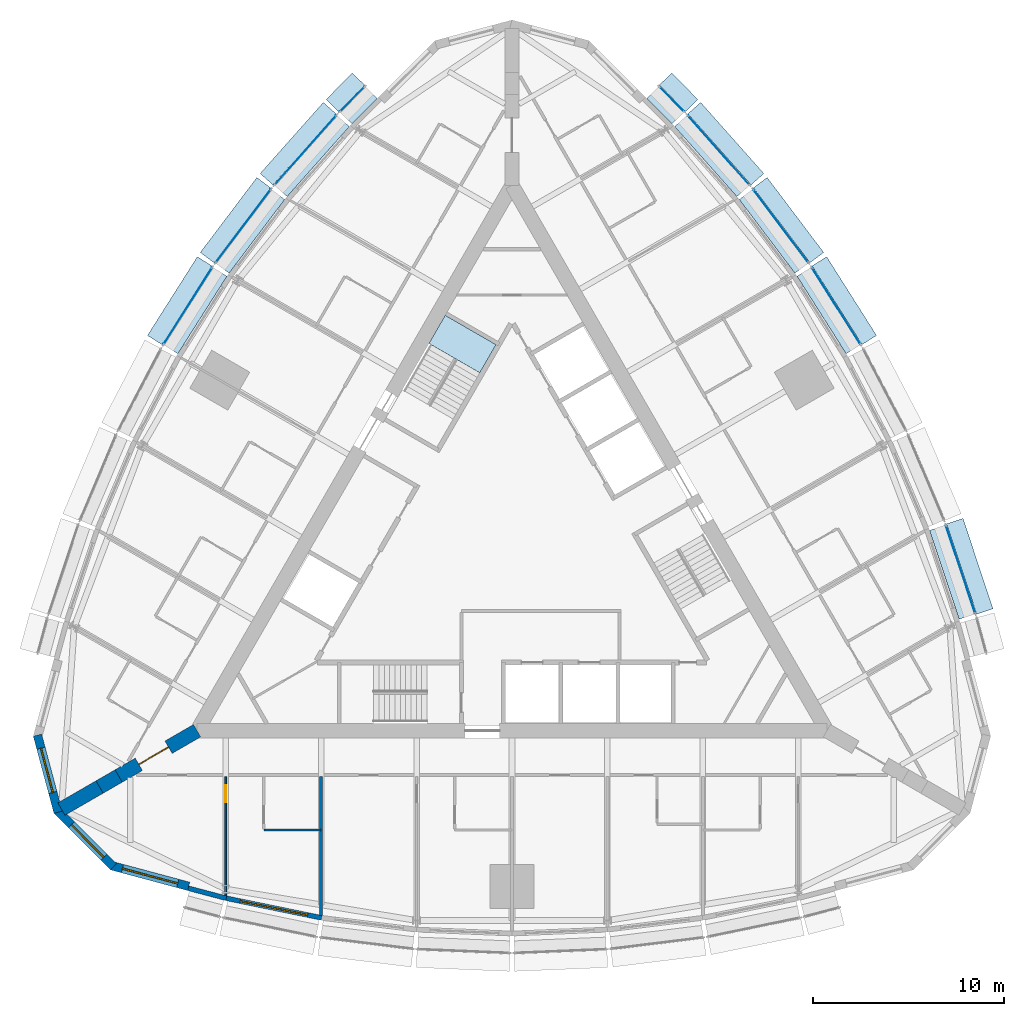
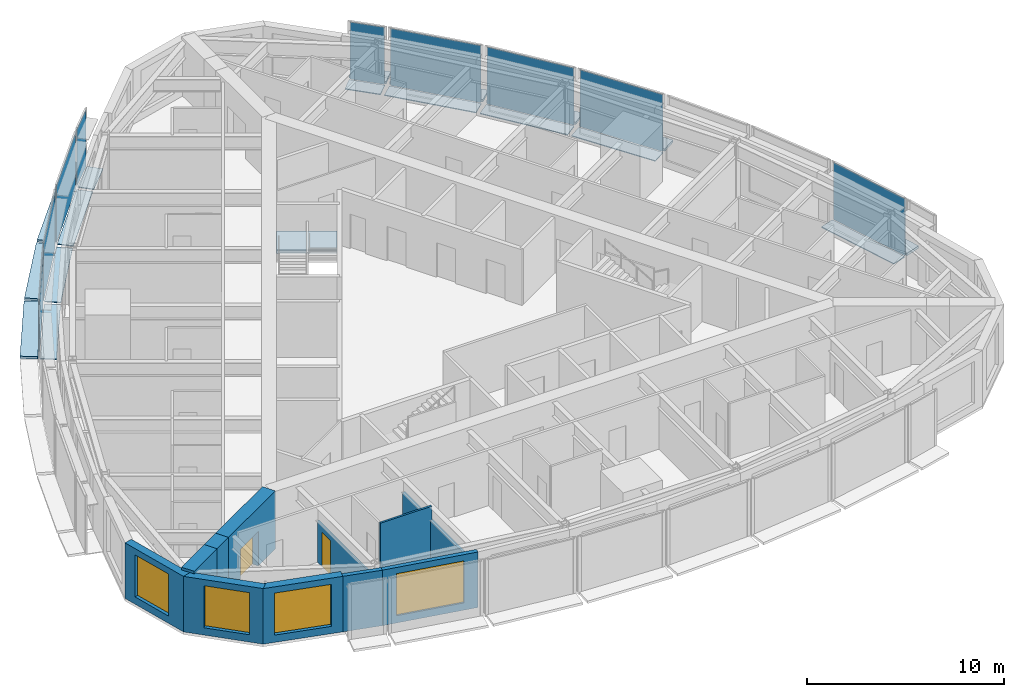
# One storey, part 8 of 15: 27 plates, 11 walls, 4 windows, 2 doors, 1 slab, 6 openings, 10 elements without a shape of their own.
"""IFC4 building model written with IfcOpenShell, lengths in metres."""

import ifcopenshell
import ifcopenshell.guid

model = None  # the IFC model being written
_history = None  # IfcOwnerHistory: only IFC2X3 demands one
_inside = {}  # id of a spatial element -> (the spatial element, [elements in it])
_under = {}  # id of a project, library or spatial element -> (it, [spatial elements below it])
_declared = {}  # id of a project -> (the project, [libraries it declares])
_typed = {}  # id of a type object -> (the type object, [elements of that type])
_made_of = {}  # id of a material, layer set ... -> (it, [elements and type objects made of it])


def new_model(schema):
    """Start an empty IFC model of exactly this schema.

    Asked for "IFC4X3", IfcOpenShell would pick the latest addendum, in which some entities
    have other attributes; the version numbers below select the first issue.
    IFC2X3 requires an IfcOwnerHistory on every rooted entity: one is made here for all.
    """
    global model, _history
    if schema == "IFC4X3":
        model = ifcopenshell.file(schema_version=(4, 3, 0, 0))
    else:
        model = ifcopenshell.file(schema=schema)
    _inside.clear()
    _under.clear()
    _declared.clear()
    _typed.clear()
    _made_of.clear()
    _history = None
    if model.schema == "IFC2X3":
        org = make("IfcOrganization", Name="unknown")
        user = make(
            "IfcPersonAndOrganization",
            ThePerson=make("IfcPerson", FamilyName="unknown"),
            TheOrganization=org,
        )
        app = make(
            "IfcApplication",
            ApplicationDeveloper=org,
            Version="unknown",
            ApplicationFullName="unknown",
            ApplicationIdentifier="unknown",
        )
        _history = make(
            "IfcOwnerHistory",
            OwningUser=user,
            OwningApplication=app,
            ChangeAction="ADDED",
            CreationDate=0,
        )
    return model


def make(cls, **values):
    """One entity of the class cls with the attributes given. An attribute that is None is left unset."""
    return model.create_entity(
        cls, **{name: value for name, value in values.items() if value is not None}
    )


def rooted(cls, **values):
    """An entity with a GlobalId (a new one), such as an element, a storey or a relation."""
    return make(cls, GlobalId=ifcopenshell.guid.new(), OwnerHistory=_history, **values)


def si_unit(unit_type, name, prefix=None):
    """IfcSIUnit, for example si_unit("LENGTHUNIT", "METRE", prefix="MILLI")."""
    return make("IfcSIUnit", UnitType=unit_type, Prefix=prefix, Name=name)


def assignment(units):
    """IfcUnitAssignment: the units of a project."""
    return None if units is None else make("IfcUnitAssignment", Units=units)


def point(xyz):
    """IfcCartesianPoint."""
    return None if xyz is None else make("IfcCartesianPoint", Coordinates=xyz)


def direction(xyz):
    """IfcDirection."""
    return None if xyz is None else make("IfcDirection", DirectionRatios=xyz)


def frame(location, z_axis=None, x_axis=None):
    """IfcAxis2Placement3D, a coordinate frame: its origin and axes. An axis left out is left unset."""
    return make(
        "IfcAxis2Placement3D",
        Location=point(location),
        Axis=direction(z_axis),
        RefDirection=direction(x_axis),
    )


def frame_2d(location, x_axis=None):
    """IfcAxis2Placement2D, a coordinate frame in the plane: its origin and x axis."""
    return make(
        "IfcAxis2Placement2D", Location=point(location), RefDirection=direction(x_axis)
    )


def origin():
    """The frame at (0, 0, 0) with its axes left unset."""
    return frame((0.0, 0.0, 0.0))


def origin_2d():
    """The frame at (0, 0) in the plane with its x axis left unset."""
    return frame_2d((0.0, 0.0))


def place(relative_to, where):
    """IfcLocalPlacement: puts the frame where relative to a parent placement (None: the world)."""
    return make(
        "IfcLocalPlacement", PlacementRelTo=relative_to, RelativePlacement=where
    )


def context(
    kind, dimensions, precision=None, world=None, true_north=None, identifier=None
):
    """IfcGeometricRepresentationContext, for example the 3D "Model" context."""
    return make(
        "IfcGeometricRepresentationContext",
        ContextIdentifier=identifier,
        ContextType=kind,
        CoordinateSpaceDimension=dimensions,
        Precision=precision,
        WorldCoordinateSystem=world,
        TrueNorth=true_north,
    )


def subcontext(parent, identifier, kind, view, scale=None):
    """IfcGeometricRepresentationSubContext, for example "Body" below "Model"."""
    return make(
        "IfcGeometricRepresentationSubContext",
        ContextIdentifier=identifier,
        ContextType=kind,
        ParentContext=parent,
        TargetScale=scale,
        TargetView=view,
    )


def project(units=None, contexts=None):
    """IfcProject with its units and contexts."""
    return rooted(
        "IfcProject",
        Name="project",
        RepresentationContexts=contexts,
        UnitsInContext=assignment(units),
    )


def spatial(cls, under=None, at=None, **own):
    """A site, building, storey or space (cls), placed at a placement, below another one or the project."""
    s = rooted(cls, ObjectPlacement=at, **own)
    if under is not None:
        _under.setdefault(under.id(), (under, []))[1].append(s)
    return s


def polyline(points):
    """IfcPolyline through the points."""
    return make("IfcPolyline", Points=[point(p) for p in points])


def profile(cls, at=None, kind="AREA", **sizes):
    """A parametric profile (cls). Its sizes go by their IFC names, for example OverallWidth=200.0."""
    return make(cls, ProfileType=kind, Position=at, **sizes)


def rectangle(**sizes):
    """IfcRectangleProfileDef."""
    return profile("IfcRectangleProfileDef", **sizes)


def outline(outer, holes=None, kind="AREA"):
    """IfcArbitraryClosedProfileDef: a profile drawn as a closed curve; with holes, ...WithVoids."""
    if holes is None:
        return make("IfcArbitraryClosedProfileDef", ProfileType=kind, OuterCurve=outer)
    return make(
        "IfcArbitraryProfileDefWithVoids",
        ProfileType=kind,
        OuterCurve=outer,
        InnerCurves=holes,
    )


def extrude(swept, where, along, depth):
    """IfcExtrudedAreaSolid: the profile swept, set in the frame where, extruded along a direction by depth."""
    return make(
        "IfcExtrudedAreaSolid",
        SweptArea=swept,
        Position=where,
        ExtrudedDirection=direction(along),
        Depth=depth,
    )


def shape(context_of_items, identifier, shape_type, items):
    """IfcShapeRepresentation: the items that make up one representation, for example the "Body"."""
    return make(
        "IfcShapeRepresentation",
        ContextOfItems=context_of_items,
        RepresentationIdentifier=identifier,
        RepresentationType=shape_type,
        Items=items,
    )


def material(Name=None, Category=None):
    """IfcMaterial."""
    return make("IfcMaterial", Name=Name, Category=Category)


def layer(
    of_material, thickness, ventilated=None, Name=None, Category=None, Priority=None
):
    """IfcMaterialLayer: one layer of a wall or slab, of a material (None: an air gap)."""
    return make(
        "IfcMaterialLayer",
        Material=of_material,
        LayerThickness=thickness,
        IsVentilated=ventilated,
        Name=Name,
        Category=Category,
        Priority=Priority,
    )


def layer_set(layers, Name=None):
    """IfcMaterialLayerSet."""
    return make("IfcMaterialLayerSet", MaterialLayers=layers, LayerSetName=Name)


def made_of(thing, what):
    """Note that an element or type object is made of a material, layer set ...; save() writes the relation."""
    if what is not None:
        _made_of.setdefault(what.id(), (what, []))[1].append(thing)
    return thing


def type_object(cls, material=None, **own):
    """A type object (cls), such as IfcWallType, which elements share."""
    return made_of(rooted(cls, **own), material)


def element(
    cls,
    number,
    at=None,
    inside=None,
    cuts=None,
    type_object=None,
    material=None,
    context=None,
    identifier="Body",
    shape_type=None,
    held_by="IfcProductDefinitionShape",
    body=None,
    shapes=None,
    **own,
):
    """One element of the class cls, such as IfcWall. Its Tag is "e" and its number.

    at: its placement. inside: the storey or other place that contains it. cuts: it is an
    opening in that element (IfcRelVoidsElement). A single representation is given by context,
    identifier, shape_type and body (its items); several are given by shapes. held_by: the class
    of the entity that holds the representations. save() writes the other relations.
    """
    e = rooted(cls, Tag="e%d" % number, ObjectPlacement=at, **own)
    if body is not None:
        shapes = [shape(context, identifier, shape_type, body)]
    if shapes is not None:
        e.Representation = make(held_by, Representations=shapes)
    if inside is not None:
        _inside.setdefault(inside.id(), (inside, []))[1].append(e)
    if cuts is not None:
        rooted(
            "IfcRelVoidsElement", RelatingBuildingElement=cuts, RelatedOpeningElement=e
        )
    if type_object is not None:
        _typed.setdefault(type_object.id(), (type_object, []))[1].append(e)
    return made_of(e, material)


def fill(opening, filler):
    """IfcRelFillsElement: the door or window that sits in an opening."""
    return rooted(
        "IfcRelFillsElement",
        RelatingOpeningElement=opening,
        RelatedBuildingElement=filler,
    )


def aggregate(whole, parts):
    """IfcRelAggregates: a whole, such as a stair, and the parts it consists of."""
    return rooted("IfcRelAggregates", RelatingObject=whole, RelatedObjects=parts)


def save(model, path):
    """Write the relations noted so far, then the file.

    IfcRelAggregates (storeys below a building ...), IfcRelContainedInSpatialStructure (elements
    in a storey), IfcRelDefinesByType, IfcRelAssociatesMaterial and IfcRelDeclares: one each for
    every whole, place, type object, material and project.
    """
    for whole, parts in _under.values():
        aggregate(whole, parts)
    for where, things in _inside.values():
        rooted(
            "IfcRelContainedInSpatialStructure",
            RelatedElements=things,
            RelatingStructure=where,
        )
    for kind, things in _typed.values():
        rooted("IfcRelDefinesByType", RelatedObjects=things, RelatingType=kind)
    for what, things in _made_of.values():
        rooted("IfcRelAssociatesMaterial", RelatedObjects=things, RelatingMaterial=what)
    for by, libraries in _declared.values():
        rooted("IfcRelDeclares", RelatingContext=by, RelatedDefinitions=libraries)
    model.write(path)


model = new_model("IFC4")

# Units and contexts
model_context = context("Model", 3, precision=1e-05, world=origin(), true_north=direction((0.0, 1.0)))
body_context = subcontext(model_context, "Body", "Model", "MODEL_VIEW")
ifc_project = project(units=[si_unit("LENGTHUNIT", "METRE"), si_unit("AREAUNIT", "SQUARE_METRE"), si_unit("VOLUMEUNIT", "CUBIC_METRE"), si_unit("PLANEANGLEUNIT", "RADIAN"), si_unit("MASSUNIT", "GRAM", prefix="KILO")], contexts=[model_context])

# Site, building, storey
site_placement = place(None, origin())
site = spatial("IfcSite", under=ifc_project, at=site_placement, CompositionType="ELEMENT")
building_placement = place(site_placement, origin())
building = spatial("IfcBuilding", under=site, at=building_placement, Name="Trikona Tower", CompositionType="ELEMENT")
storey_placement = place(building_placement, frame((0.0, 0.0, 215.300048828125)))
storey = spatial("IfcBuildingStorey", under=building, at=storey_placement, Name="L57", CompositionType="ELEMENT", Elevation=215.300048828125)

# Plates
ifc_material_1 = material(Name="Aluminium bar grating", Category="aluminium")
ifc_layer_1 = layer(ifc_material_1, 0.050048828125)
ifc_layer_set_1 = layer_set([ifc_layer_1], Name="Cavity catwalk grating")
plate_type_1 = type_object("IfcPlateType", Name="Cavity catwalk grating", PredefinedType="USERDEFINED", material=ifc_layer_set_1)
plate_1_placement = place(storey_placement, frame((23.05078125, -1.22314453125, -0.05029296875), z_axis=(0.0, 0.0, 1.0), x_axis=(-0.315092532747, 0.949060954737, 0.0)))
element("IfcPlate", 1, at=plate_1_placement, inside=storey, type_object=plate_type_1, Name="Cavity catwalk L57-13", ObjectType="CATWALK GRATING", PredefinedType="USERDEFINED", context=body_context, shape_type="SweptSolid", body=[
    extrude(rectangle(XDim=4.90478515625, YDim=0.840087890625, at=origin_2d()), origin(), (0.0, 0.0, 1.0), 0.050048828125),
])
plate_2_placement = place(storey_placement, frame((16.57666015625, 12.477294921875, -0.05029296875), z_axis=(0.0, 0.0, 1.0), x_axis=(-0.535204777743, 0.844722348397, 0.0)))
element("IfcPlate", 2, at=plate_2_placement, inside=storey, type_object=plate_type_1, Name="Cavity catwalk L57-16", ObjectType="CATWALK GRATING", PredefinedType="USERDEFINED", context=body_context, shape_type="SweptSolid", body=[
    extrude(rectangle(XDim=4.80419921875, YDim=0.840087890625, at=origin_2d()), origin(), (0.0, 0.0, 1.0), 0.050048828125),
])
plate_3_placement = place(storey_placement, frame((13.70068359375, 16.6298828125, -0.05029296875), z_axis=(0.0, 0.0, 1.0), x_axis=(-0.602401684924, 0.798193090674, 0.0)))
element("IfcPlate", 3, at=plate_3_placement, inside=storey, type_object=plate_type_1, Name="Cavity catwalk L57-17", ObjectType="CATWALK GRATING", PredefinedType="USERDEFINED", context=body_context, shape_type="SweptSolid", body=[
    extrude(rectangle(XDim=4.837890625, YDim=0.840087890625, at=origin_2d()), origin(), (0.0, 0.0, 1.0), 0.050048828125),
])
plate_4_placement = place(storey_placement, frame((10.466064453125, 20.57421875, -0.05029296875), z_axis=(0.0, 0.0, 1.0), x_axis=(-0.664367239113, 0.747406296196, 0.0)))
element("IfcPlate", 4, at=plate_4_placement, inside=storey, type_object=plate_type_1, Name="Cavity catwalk L57-18", ObjectType="CATWALK GRATING", PredefinedType="USERDEFINED", context=body_context, shape_type="SweptSolid", body=[
    extrude(rectangle(XDim=4.90478515625, YDim=0.840087890625, at=origin_2d()), origin(), (0.0, 0.0, 1.0), 0.050048828125),
])
for number, where, z_axis, x_axis, name in (
    (5, (8.0263671875, 23.23291015625, -0.05029296875), (0.0, 0.0, 1.0), (-0.704151057285, 0.710050201412, 0.0), "Cavity catwalk L57-19"),
    (6, (-8.0263671875, 23.23291015625, -0.05029296875), (0.0, 0.0, 1.0), (-0.704151057285, -0.710050201412, 0.0), "Cavity catwalk L57-24"),
):
    element("IfcPlate", number, at=place(storey_placement, frame(where, z_axis=z_axis, x_axis=x_axis)), inside=storey, type_object=plate_type_1, Name=name, ObjectType="CATWALK GRATING", PredefinedType="USERDEFINED", context=body_context, shape_type="SweptSolid", body=[
        extrude(rectangle(XDim=1.868408203125, YDim=0.840087890625, at=origin_2d()), origin(), (0.0, 0.0, 1.0), 0.050048828125),
    ])
plate_5_placement = place(storey_placement, frame((-10.466064453125, 20.57421875, -0.05029296875), z_axis=(0.0, 0.0, 1.0), x_axis=(-0.664367239113, -0.747406296196, 0.0)))
element("IfcPlate", 7, at=plate_5_placement, inside=storey, type_object=plate_type_1, Name="Cavity catwalk L57-25", ObjectType="CATWALK GRATING", PredefinedType="USERDEFINED", context=body_context, shape_type="SweptSolid", body=[
    extrude(rectangle(XDim=4.90478515625, YDim=0.840087890625, at=origin_2d()), origin(), (0.0, 0.0, 1.0), 0.050048828125),
])
plate_6_placement = place(storey_placement, frame((-13.70068359375, 16.6298828125, -0.05029296875), z_axis=(0.0, 0.0, 1.0), x_axis=(-0.602401684924, -0.798193090674, 0.0)))
element("IfcPlate", 8, at=plate_6_placement, inside=storey, type_object=plate_type_1, Name="Cavity catwalk L57-26", ObjectType="CATWALK GRATING", PredefinedType="USERDEFINED", context=body_context, shape_type="SweptSolid", body=[
    extrude(rectangle(XDim=4.837890625, YDim=0.840087890625, at=origin_2d()), origin(), (0.0, 0.0, 1.0), 0.050048828125),
])
plate_7_placement = place(storey_placement, frame((-16.57666015625, 12.477294921875, -0.05029296875), z_axis=(0.0, 0.0, 1.0), x_axis=(-0.535204777743, -0.844722348397, 0.0)))
element("IfcPlate", 9, at=plate_7_placement, inside=storey, type_object=plate_type_1, Name="Cavity catwalk L57-27", ObjectType="CATWALK GRATING", PredefinedType="USERDEFINED", context=body_context, shape_type="SweptSolid", body=[
    extrude(rectangle(XDim=4.80419921875, YDim=0.840087890625, at=origin_2d()), origin(), (0.0, 0.0, 1.0), 0.050048828125),
])

# Curtain wall, plate
ifc_material_2 = material(Name="Aluminium curtain wall system", Category="aluminium")
curtain_wall_type = type_object("IfcCurtainWallType", Name="Curtain wall DS3", PredefinedType="NOTDEFINED", material=ifc_material_2)
curtain_wall_1_placement = place(storey_placement, origin())
curtain_wall_1 = element("IfcCurtainWall", 10, at=curtain_wall_1_placement, inside=storey, type_object=curtain_wall_type, Name="Curtain wall DS3 L57", PredefinedType="NOTDEFINED")
ifc_material_3 = material(Name="Laminated clear glass", Category="glass")
ifc_layer_2 = layer(ifc_material_3, 0.028076171875)
ifc_layer_set_2 = layer_set([ifc_layer_2], Name="Glass panel DS3")
plate_type_2 = type_object("IfcPlateType", Name="Glass panel DS3", PredefinedType="CURTAIN_PANEL", material=ifc_layer_set_2)
plate_8_placement = place(storey_placement, frame((23.50634765625, -1.072021484375, 0.0), z_axis=(0.0, 0.0, 1.0), x_axis=(-0.315078038687, 0.949065766708, 0.0)))
plate_8 = element("IfcPlate", 11, at=plate_8_placement, type_object=plate_type_2, Name="CW-DS3 panel 1.1", PredefinedType="CURTAIN_PANEL", context=body_context, shape_type="SweptSolid", body=[
    extrude(rectangle(XDim=4.8447265625, YDim=0.028076171875, at=origin_2d()), origin(), (0.0, 0.0, 1.0), 3.530029296875),
])
aggregate(curtain_wall_1, [plate_8])

curtain_wall_2_placement = place(storey_placement, origin())
curtain_wall_2 = element("IfcCurtainWall", 12, at=curtain_wall_2_placement, inside=storey, type_object=curtain_wall_type, Name="Curtain wall DS3 L57", PredefinedType="NOTDEFINED")
plate_9_placement = place(storey_placement, frame((16.982177734375, 12.734130859375, 0.0), z_axis=(0.0, 0.0, 1.0), x_axis=(-0.535197227854, 0.844727131858, 0.0)))
plate_9 = element("IfcPlate", 13, at=plate_9_placement, type_object=plate_type_2, Name="CW-DS3 panel 1.1", PredefinedType="CURTAIN_PANEL", context=body_context, shape_type="SweptSolid", body=[
    extrude(rectangle(XDim=4.744140625, YDim=0.028076171875, at=origin_2d()), origin(), (0.0, 0.0, 1.0), 3.530029296875),
])
aggregate(curtain_wall_2, [plate_9])

curtain_wall_3_placement = place(storey_placement, origin())
curtain_wall_3 = element("IfcCurtainWall", 14, at=curtain_wall_3_placement, inside=storey, type_object=curtain_wall_type, Name="Curtain wall DS3 L57", PredefinedType="NOTDEFINED")
plate_10_placement = place(storey_placement, frame((14.083740234375, 16.9189453125, 0.0), z_axis=(0.0, 0.0, 1.0), x_axis=(-0.602401528506, 0.798193208724, 0.0)))
plate_10 = element("IfcPlate", 15, at=plate_10_placement, type_object=plate_type_2, Name="CW-DS3 panel 1.1", PredefinedType="CURTAIN_PANEL", context=body_context, shape_type="SweptSolid", body=[
    extrude(rectangle(XDim=4.778076171875, YDim=0.028076171875, at=origin_2d()), origin(), (0.0, 0.0, 1.0), 3.530029296875),
])
aggregate(curtain_wall_3, [plate_10])

curtain_wall_4_placement = place(storey_placement, origin())
curtain_wall_4 = element("IfcCurtainWall", 16, at=curtain_wall_4_placement, inside=storey, type_object=curtain_wall_type, Name="Curtain wall DS3 L57", PredefinedType="NOTDEFINED")
plate_11_placement = place(storey_placement, frame((10.82470703125, 20.89306640625, 0.0), z_axis=(0.0, 0.0, 1.0), x_axis=(-0.664371309689, 0.747402677853, 0.0)))
plate_11 = element("IfcPlate", 17, at=plate_11_placement, type_object=plate_type_2, Name="CW-DS3 panel 1.1", PredefinedType="CURTAIN_PANEL", context=body_context, shape_type="SweptSolid", body=[
    extrude(rectangle(XDim=4.844970703125, YDim=0.028076171875, at=origin_2d()), origin(), (0.0, 0.0, 1.0), 3.530029296875),
])
aggregate(curtain_wall_4, [plate_11])

curtain_wall_5_placement = place(storey_placement, origin())
curtain_wall_5 = element("IfcCurtainWall", 18, at=curtain_wall_5_placement, inside=storey, type_object=curtain_wall_type, Name="Curtain wall DS3 L57", PredefinedType="NOTDEFINED")
plate_12_placement = place(storey_placement, frame((8.3671875, 23.57080078125, 0.0), z_axis=(0.0, 0.0, 1.0), x_axis=(-0.704149343903, 0.710051900554, 0.0)))
plate_12 = element("IfcPlate", 19, at=plate_12_placement, type_object=plate_type_2, Name="CW-DS3 panel 1.1", PredefinedType="CURTAIN_PANEL", context=body_context, shape_type="SweptSolid", body=[
    extrude(rectangle(XDim=1.808349609375, YDim=0.028076171875, at=origin_2d()), origin(), (0.0, 0.0, 1.0), 3.530029296875),
])
aggregate(curtain_wall_5, [plate_12])

curtain_wall_6_placement = place(storey_placement, origin())
curtain_wall_6 = element("IfcCurtainWall", 20, at=curtain_wall_6_placement, inside=storey, type_object=curtain_wall_type, Name="Curtain wall DS3 L57", PredefinedType="NOTDEFINED")
plate_13_placement = place(storey_placement, frame((-8.3671875, 23.57080078125, 0.0), z_axis=(0.0, 0.0, 1.0), x_axis=(-0.704149343903, -0.710051900554, 0.0)))
plate_13 = element("IfcPlate", 21, at=plate_13_placement, type_object=plate_type_2, Name="CW-DS3 panel 1.1", PredefinedType="CURTAIN_PANEL", context=body_context, shape_type="SweptSolid", body=[
    extrude(rectangle(XDim=1.808349609375, YDim=0.028076171875, at=origin_2d()), origin(), (0.0, 0.0, 1.0), 3.530029296875),
])
aggregate(curtain_wall_6, [plate_13])

curtain_wall_7_placement = place(storey_placement, origin())
curtain_wall_7 = element("IfcCurtainWall", 22, at=curtain_wall_7_placement, inside=storey, type_object=curtain_wall_type, Name="Curtain wall DS3 L57", PredefinedType="NOTDEFINED")
plate_14_placement = place(storey_placement, frame((-10.82470703125, 20.89306640625, 0.0), z_axis=(0.0, 0.0, 1.0), x_axis=(-0.664371309689, -0.747402677853, 0.0)))
plate_14 = element("IfcPlate", 23, at=plate_14_placement, type_object=plate_type_2, Name="CW-DS3 panel 1.1", PredefinedType="CURTAIN_PANEL", context=body_context, shape_type="SweptSolid", body=[
    extrude(rectangle(XDim=4.844970703125, YDim=0.028076171875, at=origin_2d()), origin(), (0.0, 0.0, 1.0), 3.530029296875),
])
aggregate(curtain_wall_7, [plate_14])

curtain_wall_8_placement = place(storey_placement, origin())
curtain_wall_8 = element("IfcCurtainWall", 24, at=curtain_wall_8_placement, inside=storey, type_object=curtain_wall_type, Name="Curtain wall DS3 L57", PredefinedType="NOTDEFINED")
plate_15_placement = place(storey_placement, frame((-14.083740234375, 16.9189453125, 0.0), z_axis=(0.0, 0.0, 1.0), x_axis=(-0.602401528506, -0.798193208724, 0.0)))
plate_15 = element("IfcPlate", 25, at=plate_15_placement, type_object=plate_type_2, Name="CW-DS3 panel 1.1", PredefinedType="CURTAIN_PANEL", context=body_context, shape_type="SweptSolid", body=[
    extrude(rectangle(XDim=4.778076171875, YDim=0.028076171875, at=origin_2d()), origin(), (0.0, 0.0, 1.0), 3.530029296875),
])
aggregate(curtain_wall_8, [plate_15])

curtain_wall_9_placement = place(storey_placement, origin())
curtain_wall_9 = element("IfcCurtainWall", 26, at=curtain_wall_9_placement, inside=storey, type_object=curtain_wall_type, Name="Curtain wall DS3 L57", PredefinedType="NOTDEFINED")
plate_16_placement = place(storey_placement, frame((-16.982177734375, 12.734130859375, 0.0), z_axis=(0.0, 0.0, 1.0), x_axis=(-0.535197227854, -0.844727131858, 0.0)))
plate_16 = element("IfcPlate", 27, at=plate_16_placement, type_object=plate_type_2, Name="CW-DS3 panel 1.1", PredefinedType="CURTAIN_PANEL", context=body_context, shape_type="SweptSolid", body=[
    extrude(rectangle(XDim=4.744140625, YDim=0.028076171875, at=origin_2d()), origin(), (0.0, 0.0, 1.0), 3.530029296875),
])
aggregate(curtain_wall_9, [plate_16])

# Plates
ifc_material_4 = material(Name="Aluminium plate fin, pale anodised, on stainless steel outriggers", Category="steel")
ifc_layer_3 = layer(ifc_material_4, 0.14990234375)
ifc_layer_set_3 = layer_set([ifc_layer_3], Name="Outer skin fin 900")
plate_type_3 = type_object("IfcPlateType", Name="Outer skin fin 900", PredefinedType="USERDEFINED", material=ifc_layer_set_3)
plate_17_placement = place(storey_placement, frame((23.990234375, -0.9111328125, 0.0), z_axis=(0.0, 0.0, 1.0), x_axis=(-0.315092532747, 0.949060954737, 0.0)))
element("IfcPlate", 28, at=plate_17_placement, inside=storey, type_object=plate_type_3, Name="Outer skin fin L57-13", ObjectType="FIN", PredefinedType="USERDEFINED", context=body_context, shape_type="SweptSolid", body=[
    extrude(rectangle(XDim=4.98486328125, YDim=0.89990234375, at=origin_2d()), origin(), (0.0, 0.0, 1.0), 0.14990234375),
])
plate_18_placement = place(storey_placement, frame((17.4130859375, 13.007080078125, 0.0), z_axis=(0.0, 0.0, 1.0), x_axis=(-0.535204777743, 0.844722348397, 0.0)))
element("IfcPlate", 29, at=plate_18_placement, inside=storey, type_object=plate_type_3, Name="Outer skin fin L57-16", ObjectType="FIN", PredefinedType="USERDEFINED", context=body_context, shape_type="SweptSolid", body=[
    extrude(rectangle(XDim=4.88427734375, YDim=0.89990234375, at=origin_2d()), origin(), (0.0, 0.0, 1.0), 0.14990234375),
])
plate_19_placement = place(storey_placement, frame((14.49072265625, 17.22607421875, 0.0), z_axis=(0.0, 0.0, 1.0), x_axis=(-0.602401684924, 0.798193090674, 0.0)))
element("IfcPlate", 30, at=plate_19_placement, inside=storey, type_object=plate_type_3, Name="Outer skin fin L57-17", ObjectType="FIN", PredefinedType="USERDEFINED", context=body_context, shape_type="SweptSolid", body=[
    extrude(rectangle(XDim=4.91796875, YDim=0.89990234375, at=origin_2d()), origin(), (0.0, 0.0, 1.0), 0.14990234375),
])
plate_20_placement = place(storey_placement, frame((11.2060546875, 21.23193359375, 0.0), z_axis=(0.0, 0.0, 1.0), x_axis=(-0.664367239113, 0.747406296196, 0.0)))
element("IfcPlate", 31, at=plate_20_placement, inside=storey, type_object=plate_type_3, Name="Outer skin fin L57-18", ObjectType="FIN", PredefinedType="USERDEFINED", context=body_context, shape_type="SweptSolid", body=[
    extrude(rectangle(XDim=4.98486328125, YDim=0.89990234375, at=origin_2d()), origin(), (0.0, 0.0, 1.0), 0.14990234375),
])
for number, where, z_axis, x_axis, name in (
    (32, (8.7294921875, 23.929931640625, 0.0), (0.0, 0.0, 1.0), (-0.704151057285, 0.710050201412, 0.0), "Outer skin fin L57-19"),
    (33, (-8.7294921875, 23.929931640625, 0.0), (0.0, 0.0, 1.0), (-0.704151057285, -0.710050201412, 0.0), "Outer skin fin L57-24"),
):
    element("IfcPlate", number, at=place(storey_placement, frame(where, z_axis=z_axis, x_axis=x_axis)), inside=storey, type_object=plate_type_3, Name=name, ObjectType="FIN", PredefinedType="USERDEFINED", context=body_context, shape_type="SweptSolid", body=[
        extrude(rectangle(XDim=1.9482421875, YDim=0.89990234375, at=origin_2d()), origin(), (0.0, 0.0, 1.0), 0.14990234375),
    ])
plate_21_placement = place(storey_placement, frame((-11.2060546875, 21.23193359375, 0.0), z_axis=(0.0, 0.0, 1.0), x_axis=(-0.664367239113, -0.747406296196, 0.0)))
element("IfcPlate", 34, at=plate_21_placement, inside=storey, type_object=plate_type_3, Name="Outer skin fin L57-25", ObjectType="FIN", PredefinedType="USERDEFINED", context=body_context, shape_type="SweptSolid", body=[
    extrude(rectangle(XDim=4.98486328125, YDim=0.89990234375, at=origin_2d()), origin(), (0.0, 0.0, 1.0), 0.14990234375),
])
plate_22_placement = place(storey_placement, frame((-14.49072265625, 17.22607421875, 0.0), z_axis=(0.0, 0.0, 1.0), x_axis=(-0.602401684924, -0.798193090674, 0.0)))
element("IfcPlate", 35, at=plate_22_placement, inside=storey, type_object=plate_type_3, Name="Outer skin fin L57-26", ObjectType="FIN", PredefinedType="USERDEFINED", context=body_context, shape_type="SweptSolid", body=[
    extrude(rectangle(XDim=4.91796875, YDim=0.89990234375, at=origin_2d()), origin(), (0.0, 0.0, 1.0), 0.14990234375),
])
plate_23_placement = place(storey_placement, frame((-17.4130859375, 13.007080078125, 0.0), z_axis=(0.0, 0.0, 1.0), x_axis=(-0.535204777743, -0.844722348397, 0.0)))
element("IfcPlate", 36, at=plate_23_placement, inside=storey, type_object=plate_type_3, Name="Outer skin fin L57-27", ObjectType="FIN", PredefinedType="USERDEFINED", context=body_context, shape_type="SweptSolid", body=[
    extrude(rectangle(XDim=4.88427734375, YDim=0.89990234375, at=origin_2d()), origin(), (0.0, 0.0, 1.0), 0.14990234375),
])

# Stair, slab
ifc_material_5 = material(Name="Concrete f'c 5000 psi", Category="concrete")
stair_type = type_object("IfcStairType", Name="Core stair", PredefinedType="HALF_TURN_STAIR", material=ifc_material_5)
stair_placement = place(storey_placement, origin())
stair = element("IfcStair", 37, at=stair_placement, inside=storey, type_object=stair_type, Name="Stair C L57", PredefinedType="HALF_TURN_STAIR")
ifc_material_6 = material(Name="Concrete f'c 5000 psi", Category="concrete")
ifc_layer_4 = layer(ifc_material_6, 0.199951171875)
ifc_layer_set_4 = layer_set([ifc_layer_4], Name="Stair landing 200")
slab_type = type_object("IfcSlabType", Name="Stair landing 200", PredefinedType="LANDING", material=ifc_layer_set_4)
slab_placement = place(storey_placement, frame((0.0, 0.0, 1.599853515625)))
slab = element("IfcSlab", 38, at=slab_placement, type_object=slab_type, Name="ST-C landing 2", PredefinedType="LANDING", context=body_context, shape_type="SweptSolid", body=[
    extrude(outline(polyline([(-0.837158203125, 10.702392578125), (-1.688720703125, 9.2275390625), (-4.351806640625, 10.76513671875), (-3.500244140625, 12.239990234375), (-0.837158203125, 10.702392578125)])), origin(), (0.0, 0.0, 1.0), 0.2001953125),
])
aggregate(stair, [slab])

# Wall
ifc_material_7 = material(Name="Metal stud and cement board", Category="gypsum")
ifc_layer_5 = layer(ifc_material_7, 0.1201171875)
ifc_layer_set_5 = layer_set([ifc_layer_5], Name="Bathroom wall 120")
wall_type_1 = type_object("IfcWallType", Name="Bathroom wall 120", PredefinedType="PLUMBINGWALL", material=ifc_layer_set_5)
wall_1_placement = place(storey_placement, frame((-13.0, -14.726318359375, 0.0), z_axis=(0.0, 0.0, 1.0), x_axis=(1.0, 0.0, 0.0)))
element("IfcWall", 39, at=wall_1_placement, inside=storey, type_object=wall_type_1, Name="Bathroom wall 5701.1", PredefinedType="PLUMBINGWALL", context=body_context, shape_type="SweptSolid", body=[
    extrude(rectangle(XDim=3.0, YDim=0.1201171875, at=frame_2d((1.5, 0.0))), origin(), (0.0, 0.0, 1.0), 3.43505859375),
])

# Wall, opening, window
ifc_material_8 = material(Name="Brick-faced precast concrete", Category="masonry")
ifc_layer_6 = layer(ifc_material_8, 0.449951171875)
ifc_layer_set_6 = layer_set([ifc_layer_6], Name="Brick-faced corner wall 450")
wall_type_2 = type_object("IfcWallType", Name="Brick-faced corner wall 450", PredefinedType="SOLIDWALL", material=ifc_layer_set_6)
wall_2_placement = place(storey_placement, frame((-24.865478515625, -9.7568359375, 0.0), z_axis=(0.0, 0.0, 1.0), x_axis=(0.258799282522, -0.96593112144, 0.0)))
wall_2 = element("IfcWall", 40, at=wall_2_placement, inside=storey, type_object=wall_type_2, Name="External wall L57-33", PredefinedType="SOLIDWALL", context=body_context, shape_type="SweptSolid", body=[
    extrude(outline(polyline([(4.183837890625, 0.22509765625), (4.12451171875, 0.22509765625), (3.705078125, 0.112548828125), (3.675048828125, 0.22509765625), (0.0, 0.22509765625), (0.0, -0.22509765625), (4.183837890625, -0.22509765625), (4.183837890625, 0.22509765625)])), origin(), (0.0, 0.0, 1.0), 3.43505859375),
])
opening_1_placement = place(wall_2_placement, frame((0.712646484375, 0.0, 0.449951171875)))
opening_1 = element("IfcOpeningElement", 41, at=opening_1_placement, cuts=wall_2, Name="Opening W2426", PredefinedType="OPENING", context=body_context, shape_type="SweptSolid", body=[
    extrude(rectangle(XDim=2.39990234375, YDim=2.60009765625, at=frame_2d((1.199951171875, 1.300048828125))), frame((0.0, 0.23486328125, 0.0), z_axis=(0.0, -1.0, 0.0), x_axis=(1.0, 0.0, 0.0)), (0.0, 0.0, 1.0), 0.469970703125),
])
ifc_material_9 = material(Name="Aluminium-framed double glazing", Category="aluminium")
window_type_1 = type_object("IfcWindowType", Name="Window 2400x2600", PartitioningType="SINGLE_PANEL", PredefinedType="WINDOW", material=ifc_material_9)
window_1_placement = place(opening_1_placement, origin())
window_1 = element("IfcWindow", 42, at=window_1_placement, inside=storey, type_object=window_type_1, Name="Window 5716", OverallHeight=2.60009765625, OverallWidth=2.39990234375, PartitioningType="SINGLE_PANEL", PredefinedType="WINDOW", context=body_context, shape_type="SweptSolid", body=[
    extrude(rectangle(XDim=2.39990234375, YDim=2.60009765625, at=frame_2d((1.199951171875, 1.300048828125))), frame((0.0, 0.030029296875, 0.0), z_axis=(0.0, -1.0, 0.0), x_axis=(1.0, 0.0, 0.0)), (0.0, 0.0, 1.0), 0.06005859375),
])
fill(opening_1, window_1)

wall_3_placement = place(storey_placement, frame((-23.8408203125, -13.697265625, 0.0), z_axis=(0.0, 0.0, 1.0), x_axis=(0.707077605902, -0.707135955267, 0.0)))
wall_3 = element("IfcWall", 43, at=wall_3_placement, inside=storey, type_object=wall_type_2, Name="External wall L57-34", PredefinedType="SOLIDWALL", context=body_context, shape_type="SweptSolid", body=[
    extrude(outline(polyline([(4.18408203125, 0.22509765625), (0.5087890625, 0.22509765625), (0.478759765625, 0.112548828125), (0.05908203125, 0.22509765625), (0.0, 0.22509765625), (0.0, -0.22509765625), (4.18408203125, -0.22509765625), (4.18408203125, 0.22509765625)])), origin(), (0.0, 0.0, 1.0), 3.43505859375),
])
opening_2_placement = place(wall_3_placement, frame((1.0712890625, 0.0, 0.449951171875)))
opening_2 = element("IfcOpeningElement", 44, at=opening_2_placement, cuts=wall_3, Name="Opening W2426", PredefinedType="OPENING", context=body_context, shape_type="SweptSolid", body=[
    extrude(rectangle(XDim=2.39990234375, YDim=2.60009765625, at=frame_2d((1.199951171875, 1.300048828125))), frame((0.0, 0.23486328125, 0.0), z_axis=(0.0, -1.0, 0.0), x_axis=(1.0, 0.0, 0.0)), (0.0, 0.0, 1.0), 0.469970703125),
])
window_2_placement = place(opening_2_placement, origin())
window_2 = element("IfcWindow", 45, at=window_2_placement, inside=storey, type_object=window_type_1, Name="Window 5701", OverallHeight=2.60009765625, OverallWidth=2.39990234375, PartitioningType="SINGLE_PANEL", PredefinedType="WINDOW", context=body_context, shape_type="SweptSolid", body=[
    extrude(rectangle(XDim=2.39990234375, YDim=2.60009765625, at=frame_2d((1.199951171875, 1.300048828125))), frame((0.0, 0.030029296875, 0.0), z_axis=(0.0, -1.0, 0.0), x_axis=(1.0, 0.0, 0.0)), (0.0, 0.0, 1.0), 0.06005859375),
])
fill(opening_2, window_2)

wall_4_placement = place(storey_placement, frame((-20.9833984375, -16.59765625, 0.0), z_axis=(0.0, 0.0, 1.0), x_axis=(0.965920442324, -0.258839137498, 0.0)))
wall_4 = element("IfcWall", 46, at=wall_4_placement, inside=storey, type_object=wall_type_2, Name="External wall L57-35", PredefinedType="SOLIDWALL", context=body_context, shape_type="SweptSolid", body=[
    extrude(rectangle(XDim=4.18408203125, YDim=0.449951171875, at=frame_2d((2.092041015625, 0.0))), origin(), (0.0, 0.0, 1.0), 3.43505859375),
])
opening_3_placement = place(wall_4_placement, frame((0.592041015625, 0.0, 0.449951171875)))
opening_3 = element("IfcOpeningElement", 47, at=opening_3_placement, cuts=wall_4, Name="Opening W3026", PredefinedType="OPENING", context=body_context, shape_type="SweptSolid", body=[
    extrude(rectangle(XDim=3.0, YDim=2.60009765625, at=frame_2d((1.5, 1.300048828125))), frame((0.0, 0.23486328125, 0.0), z_axis=(0.0, -1.0, 0.0), x_axis=(1.0, 0.0, 0.0)), (0.0, 0.0, 1.0), 0.469970703125),
])
ifc_material_10 = material(Name="Aluminium-framed double glazing", Category="aluminium")
window_type_2 = type_object("IfcWindowType", Name="Window 3000x2600", PartitioningType="SINGLE_PANEL", PredefinedType="WINDOW", material=ifc_material_10)
window_3_placement = place(opening_3_placement, origin())
window_3 = element("IfcWindow", 48, at=window_3_placement, inside=storey, type_object=window_type_2, Name="Window 5701", OverallHeight=2.60009765625, OverallWidth=3.0, PartitioningType="SINGLE_PANEL", PredefinedType="WINDOW", context=body_context, shape_type="SweptSolid", body=[
    extrude(rectangle(XDim=3.0, YDim=2.60009765625, at=frame_2d((1.5, 1.300048828125))), frame((0.0, 0.030029296875, 0.0), z_axis=(0.0, -1.0, 0.0), x_axis=(1.0, 0.0, 0.0)), (0.0, 0.0, 1.0), 0.06005859375),
])
fill(opening_3, window_3)

# Wall, opening, door
ifc_material_11 = material(Name="Concrete f'c 10000 psi", Category="concrete")
ifc_layer_7 = layer(ifc_material_11, 0.75)
ifc_layer_set_7 = layer_set([ifc_layer_7], Name="Buttress wall 750")
wall_type_3 = type_object("IfcWallType", Name="Buttress wall 750", PredefinedType="SHEAR", material=ifc_layer_set_7)
wall_5_placement = place(storey_placement, frame((-16.5, -9.5263671875, 0.0), z_axis=(0.0, 0.0, 1.0), x_axis=(-0.866031398331, -0.499989616998, 0.0)))
wall_5 = element("IfcWall", 49, at=wall_5_placement, inside=storey, type_object=wall_type_3, Name="Buttress wall 3", PredefinedType="SHEAR", context=body_context, shape_type="SweptSolid", body=[
    extrude(rectangle(XDim=4.74609375, YDim=0.75, at=frame_2d((2.373046875, 0.0))), origin(), (0.0, 0.0, 1.0), 3.599853515625),
])
opening_4_placement = place(wall_5_placement, frame((1.72509765625, 0.0, 0.0)))
opening_4 = element("IfcOpeningElement", 50, at=opening_4_placement, cuts=wall_5, Name="Opening D10", PredefinedType="OPENING", context=body_context, shape_type="SweptSolid", body=[
    extrude(rectangle(XDim=1.800048828125, YDim=2.1298828125, at=frame_2d((0.89990234375, 1.06494140625))), frame((0.0, 0.385009765625, 0.0), z_axis=(0.0, -1.0, 0.0), x_axis=(1.0, 0.0, 0.0)), (0.0, 0.0, 1.0), 0.77001953125),
])
ifc_material_12 = material(Name="Hollow metal door and frame", Category="steel")
door_type_1 = type_object("IfcDoorType", Name="Cross-corridor door pair 1800x2130", OperationType="DOUBLE_DOOR_DOUBLE_SWING", PredefinedType="DOOR", material=ifc_material_12)
door_1_placement = place(opening_4_placement, origin())
door_1 = element("IfcDoor", 51, at=door_1_placement, inside=storey, type_object=door_type_1, Name="Cross-corridor door 3", OperationType="DOUBLE_DOOR_DOUBLE_SWING", OverallHeight=2.1298828125, OverallWidth=1.800048828125, PredefinedType="DOOR", context=body_context, shape_type="SweptSolid", body=[
    extrude(rectangle(XDim=1.800048828125, YDim=2.1298828125, at=frame_2d((0.89990234375, 1.06494140625))), frame((0.0, 0.02490234375, 0.0), z_axis=(0.0, -1.0, 0.0), x_axis=(1.0, 0.0, 0.0)), (0.0, 0.0, 1.0), 0.050048828125),
])
fill(opening_4, door_1)

# Walls
wall_6_placement = place(storey_placement, frame((-20.6103515625, -11.8994140625, 0.0), z_axis=(0.0, 0.0, 1.0), x_axis=(-0.866009537788, -0.500027479704, 0.0)))
element("IfcWall", 52, at=wall_6_placement, inside=storey, type_object=wall_type_3, Name="Buttress wall 3 part 2", PredefinedType="SHEAR", context=body_context, shape_type="SweptSolid", body=[
    extrude(rectangle(XDim=1.15478515625, YDim=0.75, at=frame_2d((0.577392578125, 0.0))), origin(), (0.0, 0.0, 1.0), 3.599853515625),
])
wall_7_placement = place(storey_placement, frame((-21.6103515625, -12.476806640625, 0.0), z_axis=(0.0, 0.0, 1.0), x_axis=(-0.866055313784, -0.499948190782, 0.0)))
element("IfcWall", 53, at=wall_7_placement, inside=storey, type_object=wall_type_3, Name="Buttress wall 3 part 3", PredefinedType="SHEAR", context=body_context, shape_type="SweptSolid", body=[
    extrude(rectangle(XDim=2.309326171875, YDim=0.75, at=frame_2d((1.15478515625, 0.0))), origin(), (0.0, 0.0, 1.0), 3.599853515625),
])
ifc_material_13 = material(Name="Insulated precast concrete spandrel panel", Category="concrete")
ifc_layer_8 = layer(ifc_material_13, 0.25)
ifc_layer_set_8 = layer_set([ifc_layer_8], Name="Inner skin wall 250")
wall_type_4 = type_object("IfcWallType", Name="Inner skin wall 250", PredefinedType="STANDARD", material=ifc_layer_set_8)
wall_8_placement = place(storey_placement, frame((-16.968017578125, -17.777099609375, 0.0), z_axis=(0.0, 0.0, 1.0), x_axis=(0.967010286052, -0.254737328772, 0.0)))
element("IfcWall", 54, at=wall_8_placement, inside=storey, type_object=wall_type_4, Name="External wall L57-00", PredefinedType="STANDARD", context=body_context, shape_type="SweptSolid", body=[
    extrude(rectangle(XDim=2.068115234375, YDim=0.25, at=frame_2d((1.0341796875, 0.0))), origin(), (0.0, 0.0, 1.0), 3.43505859375),
])

# Wall, opening, window
wall_9_placement = place(storey_placement, frame((-14.974853515625, -18.302490234375, 0.0), z_axis=(0.0, 0.0, 1.0), x_axis=(0.979461488189, -0.201631329795, 0.0)))
wall_9 = element("IfcWall", 55, at=wall_9_placement, inside=storey, type_object=wall_type_4, Name="External wall L57-01", PredefinedType="STANDARD", context=body_context, shape_type="SweptSolid", body=[
    extrude(rectangle(XDim=5.104736328125, YDim=0.25, at=frame_2d((2.55224609375, 0.0))), origin(), (0.0, 0.0, 1.0), 3.43505859375),
])
opening_5_placement = place(wall_9_placement, frame((0.75244140625, 0.0, 0.449951171875)))
opening_5 = element("IfcOpeningElement", 56, at=opening_5_placement, cuts=wall_9, Name="Opening W3626", PredefinedType="OPENING", context=body_context, shape_type="SweptSolid", body=[
    extrude(rectangle(XDim=3.60009765625, YDim=2.60009765625, at=frame_2d((1.800048828125, 1.300048828125))), frame((0.0, 0.135009765625, 0.0), z_axis=(0.0, -1.0, 0.0), x_axis=(1.0, 0.0, 0.0)), (0.0, 0.0, 1.0), 0.27001953125),
])
ifc_material_14 = material(Name="Aluminium-framed double glazing", Category="aluminium")
window_type_3 = type_object("IfcWindowType", Name="Window 3600x2600", PartitioningType="SINGLE_PANEL", PredefinedType="WINDOW", material=ifc_material_14)
window_4_placement = place(opening_5_placement, origin())
window_4 = element("IfcWindow", 57, at=window_4_placement, inside=storey, type_object=window_type_3, Name="Window 5701.1", OverallHeight=2.60009765625, OverallWidth=3.60009765625, PartitioningType="SINGLE_PANEL", PredefinedType="WINDOW", context=body_context, shape_type="SweptSolid", body=[
    extrude(rectangle(XDim=3.60009765625, YDim=2.60009765625, at=frame_2d((1.800048828125, 1.300048828125))), frame((0.0, 0.030029296875, 0.0), z_axis=(0.0, -1.0, 0.0), x_axis=(1.0, 0.0, 0.0)), (0.0, 0.0, 1.0), 0.06005859375),
])
fill(opening_5, window_4)

# Wall
ifc_material_15 = material(Name="Metal stud and gypsum board, 1-hour acoustic", Category="gypsum")
ifc_layer_9 = layer(ifc_material_15, 0.14990234375)
ifc_layer_set_9 = layer_set([ifc_layer_9], Name="Party wall 150")
wall_type_5 = type_object("IfcWallType", Name="Party wall 150", PredefinedType="PARTITIONING", material=ifc_layer_set_9)
wall_10_placement = place(storey_placement, frame((-10.0, -11.92626953125, 0.0), z_axis=(0.0, 0.0, 1.0), x_axis=(0.0, -1.0, 0.0)))
element("IfcWall", 58, at=wall_10_placement, inside=storey, type_object=wall_type_5, Name="Partition L57 F1 u-10", PredefinedType="PARTITIONING", context=body_context, shape_type="SweptSolid", body=[
    extrude(rectangle(XDim=7.27294921875, YDim=0.14990234375, at=frame_2d((3.636474609375, 0.0))), origin(), (0.0, 0.0, 1.0), 2.589111328125),
])

# Wall, opening, door
ifc_material_16 = material(Name="Metal stud and gypsum board, acoustic", Category="gypsum")
ifc_layer_10 = layer(ifc_material_16, 0.10009765625)
ifc_layer_set_10 = layer_set([ifc_layer_10], Name="Suite partition 100")
wall_type_6 = type_object("IfcWallType", Name="Suite partition 100", PredefinedType="PARTITIONING", material=ifc_layer_set_10)
wall_11_placement = place(storey_placement, frame((-15.0, -11.92626953125, 0.0), z_axis=(0.0, 0.0, 1.0), x_axis=(0.0, -1.0, 0.0)))
wall_11 = element("IfcWall", 59, at=wall_11_placement, inside=storey, type_object=wall_type_6, Name="Suite partition L57 F1 u-15", PredefinedType="PARTITIONING", context=body_context, shape_type="SweptSolid", body=[
    extrude(rectangle(XDim=6.240234375, YDim=0.10009765625, at=frame_2d((3.1201171875, 0.0))), origin(), (0.0, 0.0, 1.0), 2.589111328125),
])
opening_6_placement = place(wall_11_placement, frame((0.449951171875, 0.0, 0.0)))
opening_6 = element("IfcOpeningElement", 60, at=opening_6_placement, cuts=wall_11, Name="Opening D13", PredefinedType="OPENING", context=body_context, shape_type="SweptSolid", body=[
    extrude(rectangle(XDim=0.89990234375, YDim=2.1298828125, at=frame_2d((0.449951171875, 1.06494140625))), frame((0.0, 0.06005859375, 0.0), z_axis=(0.0, -1.0, 0.0), x_axis=(1.0, 0.0, 0.0)), (0.0, 0.0, 1.0), 0.1201171875),
])
ifc_material_17 = material(Name="Steel door frame with solid-core timber leaf", Category="steel")
door_type_2 = type_object("IfcDoorType", Name="Suite door 900x2130", OperationType="SINGLE_SWING_LEFT", PredefinedType="DOOR", material=ifc_material_17)
door_2_placement = place(opening_6_placement, origin())
door_2 = element("IfcDoor", 61, at=door_2_placement, inside=storey, type_object=door_type_2, Name="Suite door 5701", OperationType="SINGLE_SWING_LEFT", OverallHeight=2.1298828125, OverallWidth=0.89990234375, PredefinedType="DOOR", context=body_context, shape_type="SweptSolid", body=[
    extrude(rectangle(XDim=0.89990234375, YDim=2.1298828125, at=frame_2d((0.449951171875, 1.06494140625))), frame((0.0, 0.02490234375, 0.0), z_axis=(0.0, -1.0, 0.0), x_axis=(1.0, 0.0, 0.0)), (0.0, 0.0, 1.0), 0.050048828125),
])
fill(opening_6, door_2)

save(model, "model.ifc")
